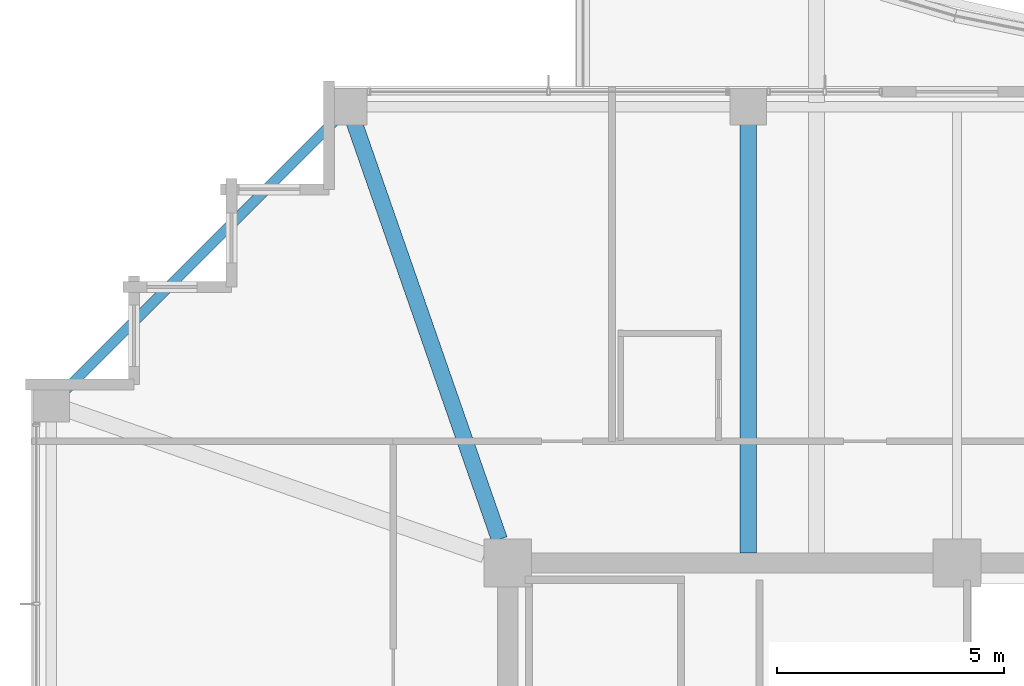
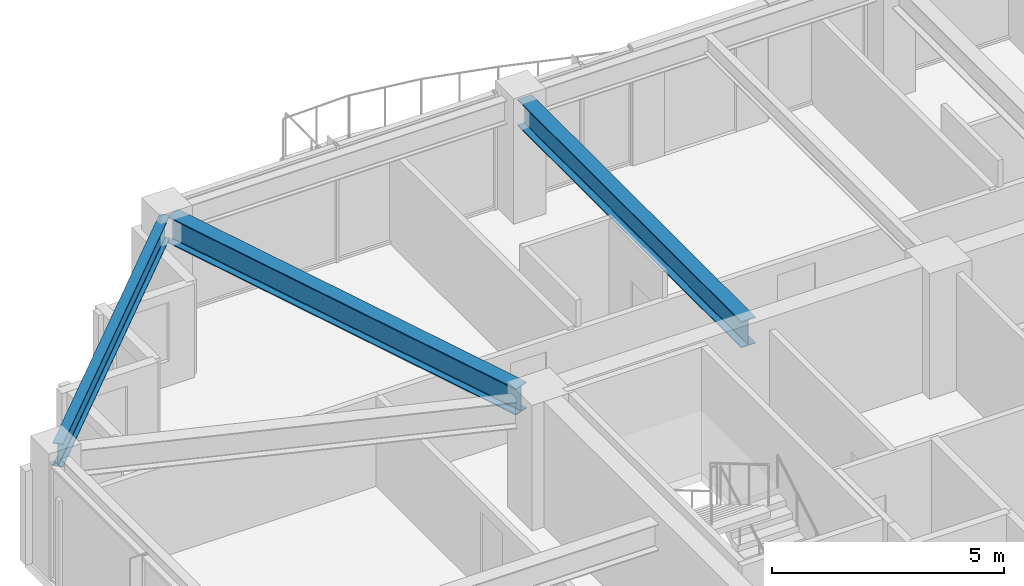
# One storey, part 15 of 36: 3 beams.
"""IFC4 building model written with IfcOpenShell, lengths in metres."""

from ifc_helpers import new_model, si_unit, direction, frame, origin, origin_2d, place, context, subcontext, project, spatial, i_section, extrude, material, material_profile, profile_set, type_object, element, save


model = new_model("IFC4")

# Units and contexts
model_context = context("Model", 3, precision=1e-05, world=origin(), true_north=direction((0.0, 1.0)))
body_context = subcontext(model_context, "Body", "Model", "MODEL_VIEW")
ifc_project = project(units=[si_unit("LENGTHUNIT", "METRE"), si_unit("AREAUNIT", "SQUARE_METRE"), si_unit("VOLUMEUNIT", "CUBIC_METRE"), si_unit("PLANEANGLEUNIT", "RADIAN"), si_unit("MASSUNIT", "GRAM", prefix="KILO")], contexts=[model_context])

# Site, building, storey
site_placement = place(None, origin())
site = spatial("IfcSite", under=ifc_project, at=site_placement, CompositionType="ELEMENT")
building_placement = place(site_placement, origin())
building = spatial("IfcBuilding", under=site, at=building_placement, Name="Kolvaren Belvedere", CompositionType="ELEMENT")
storey_placement = place(building_placement, frame((0.0, 0.0, 226.199951171875)))
storey = spatial("IfcBuildingStorey", under=building, at=storey_placement, Name="L66", CompositionType="ELEMENT", Elevation=226.199951171875)

# Beams
ifc_material_1 = material(Name="Structural steel ASTM A992 Grade 50", Category="steel")
ifc_material_profile_1 = material_profile(ifc_material_1, i_section(OverallWidth=0.35498046875, OverallDepth=0.696044921875, WebThickness=0.015380859375, FlangeThickness=0.02490234375, FilletRadius=0.02197265625, at=origin_2d()), Name="W27X146")
ifc_profile_set_1 = profile_set([ifc_material_profile_1], Name="Structural steel ASTM A992 Grade 50")
beam_type_1 = type_object("IfcBeamType", Name="BM-GIRD-W27X146", PredefinedType="BEAM", material=ifc_profile_set_1)
beam_1_placement = place(storey_placement, frame((-4.60009765625, 10.125, 2.73193359375), z_axis=(0.0, 1.0, 0.0), x_axis=(-1.0, 0.0, 0.0)))
element("IfcBeam", 1, at=beam_1_placement, inside=storey, type_object=beam_type_1, Name="L66 North Radial Girder M", PredefinedType="BEAM", context=body_context, shape_type="SweptSolid", body=[
    extrude(i_section(OverallWidth=0.35498046875, OverallDepth=0.696044921875, WebThickness=0.015380859375, FlangeThickness=0.02490234375, FilletRadius=0.02197265625, at=origin_2d()), origin(), (0.0, 0.0, 1.0), 9.64501953125),
])
beam_2_placement = place(storey_placement, frame((-10.080810546875, 10.41943359375, 2.73193359375), z_axis=(-0.328898147971, 0.944365399758, 0.0), x_axis=(-0.944365399758, -0.328898147971, 0.0)))
element("IfcBeam", 2, at=beam_2_placement, inside=storey, type_object=beam_type_1, Name="L66 Corner Core-to-Perimeter Girder CC4-N1", PredefinedType="BEAM", context=body_context, shape_type="SweptSolid", body=[
    extrude(i_section(OverallWidth=0.35498046875, OverallDepth=0.696044921875, WebThickness=0.015380859375, FlangeThickness=0.02490234375, FilletRadius=0.02197265625, at=origin_2d()), origin(), (0.0, 0.0, 1.0), 9.931884765625),
])
ifc_material_2 = material(Name="Structural steel ASTM A992 Grade 50", Category="steel")
ifc_material_profile_2 = material_profile(ifc_material_2, i_section(OverallWidth=0.22900390625, OverallDepth=0.612060546875, WebThickness=0.011962890625, FlangeThickness=0.01953125, FilletRadius=0.01806640625, at=origin_2d()), Name="W24X84")
ifc_profile_set_2 = profile_set([ifc_material_profile_2], Name="Structural steel ASTM A992 Grade 50")
beam_type_2 = type_object("IfcBeamType", Name="BM-SPAN-W24X84", PredefinedType="SPANDREL", material=ifc_profile_set_2)
beam_3_placement = place(storey_placement, frame((-13.52734375, 19.82275390625, 2.774169921875), z_axis=(-0.707106781187, -0.707106781187, 0.0), x_axis=(0.707106781187, -0.707106781187, 0.0)))
element("IfcBeam", 3, at=beam_3_placement, inside=storey, type_object=beam_type_2, Name="L66 Perimeter Spandrel N1-W4", PredefinedType="SPANDREL", context=body_context, shape_type="SweptSolid", body=[
    extrude(i_section(OverallWidth=0.22900390625, OverallDepth=0.612060546875, WebThickness=0.011962890625, FlangeThickness=0.01953125, FilletRadius=0.01806640625, at=origin_2d()), origin(), (0.0, 0.0, 1.0), 8.903076171875),
])

save(model, "model.ifc")
